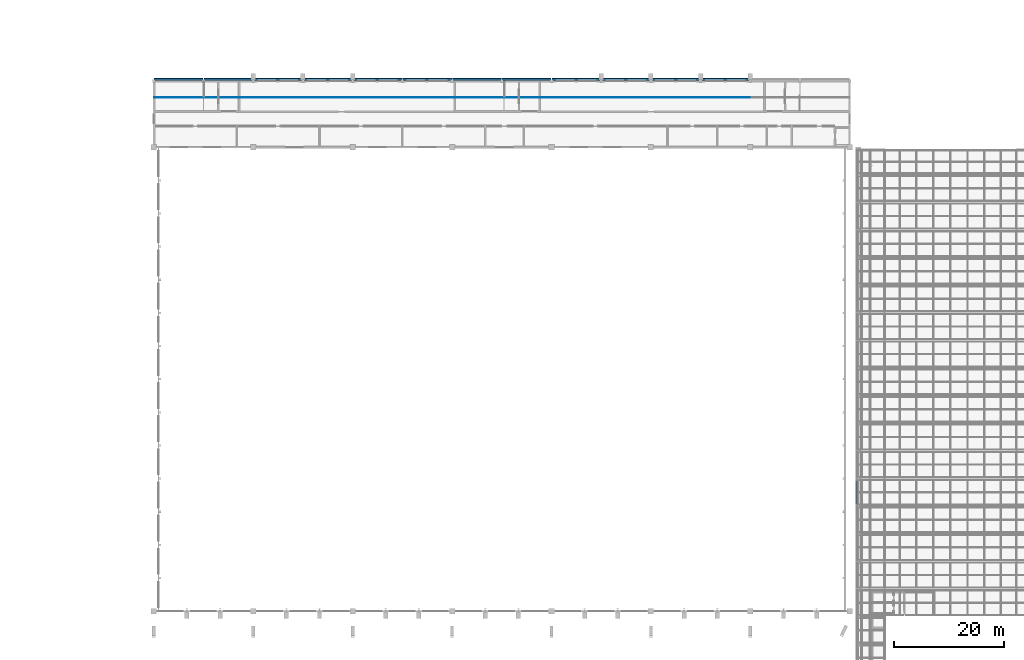
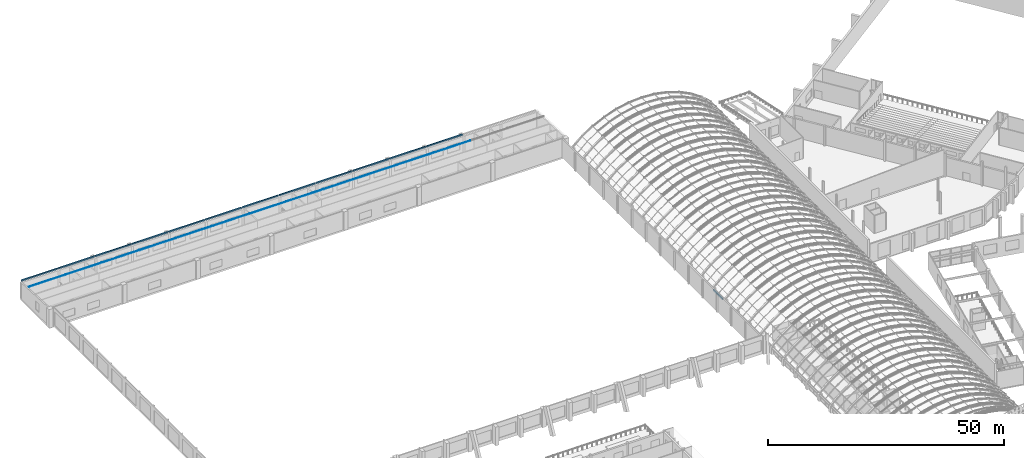
# One storey, part 156 of 182: 25 discrete accessories.
"""IFC4 building model written with IfcOpenShell, lengths in metres."""

from ifc_helpers import new_model, si_unit, direction, frame, origin, origin_2d, place, context, subcontext, project, spatial, polyline, rectangle, outline, extrude, material, type_object, element, save


model = new_model("IFC4")

# Units and contexts
model_context = context("Model", 3, precision=1e-05, world=origin(), true_north=direction((0.0, 1.0)))
body_context = subcontext(model_context, "Body", "Model", "MODEL_VIEW")
ifc_project = project(units=[si_unit("LENGTHUNIT", "METRE"), si_unit("AREAUNIT", "SQUARE_METRE"), si_unit("VOLUMEUNIT", "CUBIC_METRE"), si_unit("PLANEANGLEUNIT", "RADIAN"), si_unit("MASSUNIT", "GRAM", prefix="KILO")], contexts=[model_context])

# Site, building, storey
site_placement = place(None, origin())
site = spatial("IfcSite", under=ifc_project, at=site_placement, CompositionType="ELEMENT")
building_placement = place(site_placement, origin())
building = spatial("IfcBuilding", under=site, at=building_placement, Name="Okhra Congress Centre", CompositionType="ELEMENT")
storey_placement = place(building_placement, frame((0.0, 0.0, 7.199951171875)))
storey = spatial("IfcBuildingStorey", under=building, at=storey_placement, Name="L01", CompositionType="ELEMENT", Elevation=7.199951171875)

# Discrete accessories
ifc_material_1 = material(Name="Stainless steel box gutter with self-regulating heating cable", Category="steel")
discrete_accessory_type_1 = type_object("IfcDiscreteAccessoryType", Name="Heated box gutter 350x300", PredefinedType="USERDEFINED", material=ifc_material_1)
for number, where, z_axis, x_axis, name in (
    (1, (32.5, 228.330078125, 4.162109375), (0.0, 0.0, 1.0), (1.0, 0.0, 0.0), "Heated box gutter"),
    (2, (41.5, 228.330078125, 4.162109375), (0.0, 0.0, 1.0), (1.0, 0.0, 0.0), "Heated box gutter"),
    (3, (50.5, 228.330078125, 4.162109375), (0.0, 0.0, 1.0), (1.0, 0.0, 0.0), "Heated box gutter"),
    (4, (59.5, 228.330078125, 4.162109375), (0.0, 0.0, 1.0), (1.0, 0.0, 0.0), "Heated box gutter"),
    (5, (68.5, 228.330078125, 4.162109375), (0.0, 0.0, 1.0), (1.0, 0.0, 0.0), "Heated box gutter"),
    (6, (77.5, 228.330078125, 4.162109375), (0.0, 0.0, 1.0), (1.0, 0.0, 0.0), "Heated box gutter"),
    (7, (86.5, 228.330078125, 4.162109375), (0.0, 0.0, 1.0), (1.0, 0.0, 0.0), "Heated box gutter"),
    (8, (95.5, 228.330078125, 4.162109375), (0.0, 0.0, 1.0), (1.0, 0.0, 0.0), "Heated box gutter"),
    (9, (104.5, 228.330078125, 4.162109375), (0.0, 0.0, 1.0), (1.0, 0.0, 0.0), "Heated box gutter"),
    (10, (113.5, 228.330078125, 4.162109375), (0.0, 0.0, 1.0), (1.0, 0.0, 0.0), "Heated box gutter"),
    (11, (122.5, 228.330078125, 4.162109375), (0.0, 0.0, 1.0), (1.0, 0.0, 0.0), "Heated box gutter"),
    (12, (131.5, 228.330078125, 4.162109375), (0.0, 0.0, 1.0), (1.0, 0.0, 0.0), "Heated box gutter"),
):
    element("IfcDiscreteAccessory", number, at=place(storey_placement, frame(where, z_axis=z_axis, x_axis=x_axis)), inside=storey, type_object=discrete_accessory_type_1, Name=name, ObjectType="HEATED GUTTER", PredefinedType="USERDEFINED", context=body_context, shape_type="SweptSolid", body=[
        extrude(rectangle(XDim=8.800048828125, YDim=0.35009765625, at=origin_2d()), origin(), (0.0, 0.0, 1.0), 0.300048828125),
    ])
discrete_accessory_type_2 = type_object("IfcDiscreteAccessoryType", Name="Heated eaves gutter 300x300", PredefinedType="USERDEFINED", material=ifc_material_1)
discrete_accessory_placement = place(storey_placement, frame((155.199951171875, 153.5, 1.5), z_axis=(0.0, 0.0, 1.0), x_axis=(1.0, 0.0, 0.0)))
element("IfcDiscreteAccessory", 13, at=discrete_accessory_placement, inside=storey, type_object=discrete_accessory_type_2, Name="Heated eaves gutter", ObjectType="HEATED GUTTER", PredefinedType="USERDEFINED", context=body_context, shape_type="SweptSolid", body=[
    extrude(rectangle(XDim=0.300048828125, YDim=4.10009765625, at=origin_2d()), origin(), (0.0, 0.0, 1.0), 0.300048828125),
])
ifc_material_2 = material(Name="Stainless steel snow retention bar clamped to the roof seams", Category="steel")
discrete_accessory_type_3 = type_object("IfcDiscreteAccessoryType", Name="Snow guard rail 50x120", PredefinedType="USERDEFINED", material=ifc_material_2)
for number, where, z_axis, x_axis, name in (
    (14, (28.10009765625, 225.0, 4.798583984375), (0.0, 0.053581455134, 0.998563482041), (1.0, 0.0, 0.0), "Snow guard rail"),
    (15, (37.10009765625, 225.0, 4.798583984375), (0.0, 0.053581455134, 0.998563482041), (1.0, 0.0, 0.0), "Snow guard rail"),
    (16, (46.10009765625, 225.0, 4.798583984375), (0.0, 0.053581455134, 0.998563482041), (1.0, 0.0, 0.0), "Snow guard rail"),
    (17, (55.10009765625, 225.0, 4.798583984375), (0.0, 0.053581455134, 0.998563482041), (1.0, 0.0, 0.0), "Snow guard rail"),
    (18, (64.10009765625, 225.0, 4.798583984375), (0.0, 0.053581455134, 0.998563482041), (1.0, 0.0, 0.0), "Snow guard rail"),
    (19, (73.10009765625, 225.0, 4.798583984375), (0.0, 0.053581455134, 0.998563482041), (1.0, 0.0, 0.0), "Snow guard rail"),
    (20, (82.10009765625, 225.0, 4.798583984375), (0.0, 0.053581455134, 0.998563482041), (1.0, 0.0, 0.0), "Snow guard rail"),
    (21, (91.10009765625, 225.0, 4.798583984375), (0.0, 0.053581455134, 0.998563482041), (1.0, 0.0, 0.0), "Snow guard rail"),
    (22, (100.10009765625, 225.0, 4.798583984375), (0.0, 0.053581455134, 0.998563482041), (1.0, 0.0, 0.0), "Snow guard rail"),
    (23, (109.10009765625, 225.0, 4.798583984375), (0.0, 0.053581455134, 0.998563482041), (1.0, 0.0, 0.0), "Snow guard rail"),
    (24, (118.10009765625, 225.0, 4.798583984375), (0.0, 0.053581455134, 0.998563482041), (1.0, 0.0, 0.0), "Snow guard rail"),
    (25, (127.10009765625, 225.0, 4.798583984375), (0.0, 0.053581455134, 0.998563482041), (1.0, 0.0, 0.0), "Snow guard rail"),
):
    element("IfcDiscreteAccessory", number, at=place(storey_placement, frame(where, z_axis=z_axis, x_axis=x_axis)), inside=storey, type_object=discrete_accessory_type_3, Name=name, ObjectType="SNOW GUARD", PredefinedType="USERDEFINED", context=body_context, shape_type="SweptSolid", body=[
        extrude(outline(polyline([(0.0, 0.0), (8.7998046875, 0.0), (8.7998046875, 0.05012082759396151), (0.0, 0.05012082759396151), (0.0, 0.0)])), origin(), (0.0, 0.0, -1.0), 0.1201171875),
    ])

save(model, "model.ifc")
